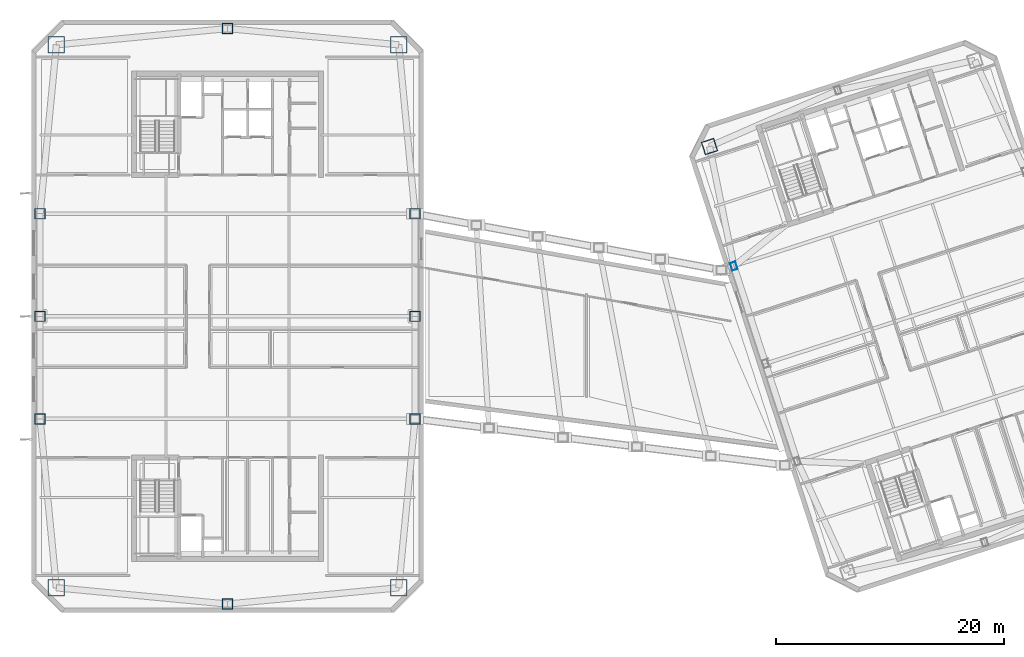
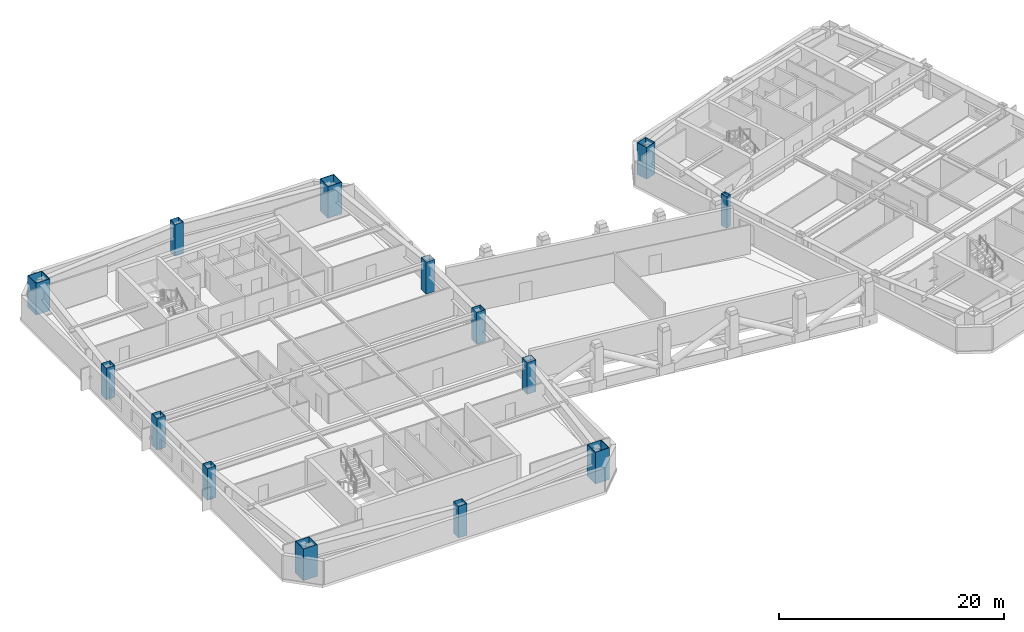
# One storey, part 1 of 19: 14 columns.
"""IFC4 building model written with IfcOpenShell, lengths in metres."""

from ifc_helpers import new_model, si_unit, direction, frame, origin, origin_2d, place, context, subcontext, project, spatial, hollow_rectangle, extrude, material, material_profile, profile_set, type_object, element, save


model = new_model("IFC4")

# Units and contexts
model_context = context("Model", 3, precision=1e-05, world=origin(), true_north=direction((0.0, 1.0)))
body_context = subcontext(model_context, "Body", "Model", "MODEL_VIEW")
ifc_project = project(units=[si_unit("LENGTHUNIT", "METRE"), si_unit("AREAUNIT", "SQUARE_METRE"), si_unit("VOLUMEUNIT", "CUBIC_METRE"), si_unit("PLANEANGLEUNIT", "RADIAN"), si_unit("MASSUNIT", "GRAM", prefix="KILO")], contexts=[model_context])

# Site, building, storey
site_placement = place(None, origin())
site = spatial("IfcSite", under=ifc_project, at=site_placement, CompositionType="ELEMENT")
building_placement = place(site_placement, origin())
building = spatial("IfcBuilding", under=site, at=building_placement, Name="Qiaolan Cultural Towers", CompositionType="ELEMENT")
storey_placement = place(building_placement, frame((0.0, 0.0, 216.199951171875)))
storey = spatial("IfcBuildingStorey", under=building, at=storey_placement, Name="L58", CompositionType="ELEMENT", Elevation=216.199951171875)

# Columns
ifc_material_1 = material(Name="Steel Q390GJB", Category="steel")
ifc_material_profile_1 = material_profile(ifc_material_1, hollow_rectangle(XDim=1.14990234375, YDim=1.14990234375, WallThickness=0.0400390625, at=origin_2d()), Name="BOX1150x1150x40")
ifc_profile_set_1 = profile_set([ifc_material_profile_1], Name="Steel Q390GJB")
column_type_1 = type_object("IfcColumnType", Name="COL-BOX1150x1150x40", PredefinedType="COLUMN", material=ifc_profile_set_1)
column_1_placement = place(storey_placement, frame((72.2900390625, 48.896484375, 0.0), z_axis=(0.0, 0.0, 1.0), x_axis=(0.951056516295, 0.309016994375, 0.0)))
element("IfcColumn", 1, at=column_1_placement, inside=storey, type_object=column_type_1, Name="L58 T2 Perimeter Column MC-NW", PredefinedType="COLUMN", context=body_context, shape_type="SweptSolid", body=[
    extrude(hollow_rectangle(XDim=1.14990234375, YDim=1.14990234375, WallThickness=0.0400390625, at=origin_2d()), origin(), (0.0, 0.0, 1.0), 3.450927734375),
])
ifc_material_2 = material(Name="Steel Q420GJB", Category="steel")
ifc_material_profile_2 = material_profile(ifc_material_2, hollow_rectangle(XDim=1.449951171875, YDim=1.449951171875, WallThickness=0.050048828125, at=origin_2d()), Name="BOX1450x1450x50")
ifc_profile_set_2 = profile_set([ifc_material_profile_2], Name="Steel Q420GJB")
column_type_2 = type_object("IfcColumnType", Name="COL-BOX1450x1450x50", PredefinedType="COLUMN", material=ifc_profile_set_2)
for number, where, z_axis, x_axis, name in (
    (2, (14.97998046875, 10.179931640625, 0.0), (0.0, 0.0, 1.0), (1.0, 0.0, 0.0), "L58 T1 Perimeter Column MC-SW"),
    (3, (45.02001953125, 10.179931640625, 0.0), (0.0, 0.0, 1.0), (1.0, 0.0, 0.0), "L58 T1 Perimeter Column MC-SE"),
    (4, (45.02001953125, 57.820068359375, 0.0), (0.0, 0.0, 1.0), (1.0, 0.0, 0.0), "L58 T1 Perimeter Column MC-NE"),
    (5, (14.97998046875, 57.820068359375, 0.0), (0.0, 0.0, 1.0), (1.0, 0.0, 0.0), "L58 T1 Perimeter Column MC-NW"),
):
    element("IfcColumn", number, at=place(storey_placement, frame(where, z_axis=z_axis, x_axis=x_axis)), inside=storey, type_object=column_type_2, Name=name, PredefinedType="COLUMN", context=body_context, shape_type="SweptSolid", body=[
        extrude(hollow_rectangle(XDim=1.449951171875, YDim=1.449951171875, WallThickness=0.050048828125, at=origin_2d()), origin(), (0.0, 0.0, 1.0), 3.450927734375),
    ])
ifc_material_3 = material(Name="Steel Q355B", Category="steel")
ifc_material_profile_3 = material_profile(ifc_material_3, hollow_rectangle(XDim=0.5, YDim=0.699951171875, WallThickness=0.02490234375, at=origin_2d()), Name="BOX700x500x25")
ifc_profile_set_3 = profile_set([ifc_material_profile_3], Name="Steel Q355B")
column_type_3 = type_object("IfcColumnType", Name="COL-BOX700x500x25", PredefinedType="COLUMN", material=ifc_profile_set_3)
column_2_placement = place(storey_placement, frame((74.42724609375, 38.4033203125, 0.0), z_axis=(0.0, 0.0, 1.0), x_axis=(0.951056516295, 0.309016994375, 0.0)))
element("IfcColumn", 6, at=column_2_placement, inside=storey, type_object=column_type_3, Name="L58 T2 Perimeter Column PC-W3", PredefinedType="COLUMN", context=body_context, shape_type="SweptSolid", body=[
    extrude(hollow_rectangle(XDim=0.5, YDim=0.699951171875, WallThickness=0.02490234375, at=origin_2d()), origin(), (0.0, 0.0, 1.0), 3.450927734375),
])
ifc_material_4 = material(Name="Steel Q355B", Category="steel")
ifc_material_profile_4 = material_profile(ifc_material_4, hollow_rectangle(XDim=0.89990234375, YDim=0.89990234375, WallThickness=0.031982421875, at=origin_2d()), Name="BOX900x900x32")
ifc_profile_set_4 = profile_set([ifc_material_profile_4], Name="Steel Q355B")
column_type_4 = type_object("IfcColumnType", Name="COL-BOX900x900x32", PredefinedType="COLUMN", material=ifc_profile_set_4)
for number, where, z_axis, x_axis, name in (
    (7, (13.550048828125, 25.0, 0.0), (0.0, 0.0, 1.0), (1.0, 0.0, 0.0), "L58 T1 Perimeter Column PC-W1"),
    (8, (13.550048828125, 34.0, 0.0), (0.0, 0.0, 1.0), (1.0, 0.0, 0.0), "L58 T1 Perimeter Column PC-W2"),
    (9, (13.550048828125, 43.0, 0.0), (0.0, 0.0, 1.0), (1.0, 0.0, 0.0), "L58 T1 Perimeter Column PC-W3"),
    (10, (46.449951171875, 25.0, 0.0), (0.0, 0.0, 1.0), (1.0, 0.0, 0.0), "L58 T1 Perimeter Column PC-E1"),
    (11, (46.449951171875, 34.0, 0.0), (0.0, 0.0, 1.0), (1.0, 0.0, 0.0), "L58 T1 Perimeter Column PC-E2"),
    (12, (46.449951171875, 43.0, 0.0), (0.0, 0.0, 1.0), (1.0, 0.0, 0.0), "L58 T1 Perimeter Column PC-E3"),
    (13, (30.0, 8.75, 0.0), (0.0, 0.0, 1.0), (1.0, 0.0, 0.0), "L58 T1 Perimeter Column PC-S0"),
    (14, (30.0, 59.25, 0.0), (0.0, 0.0, 1.0), (1.0, 0.0, 0.0), "L58 T1 Perimeter Column PC-N0"),
):
    element("IfcColumn", number, at=place(storey_placement, frame(where, z_axis=z_axis, x_axis=x_axis)), inside=storey, type_object=column_type_4, Name=name, PredefinedType="COLUMN", context=body_context, shape_type="SweptSolid", body=[
        extrude(hollow_rectangle(XDim=0.89990234375, YDim=0.89990234375, WallThickness=0.031982421875, at=origin_2d()), origin(), (0.0, 0.0, 1.0), 3.450927734375),
    ])

save(model, "model.ifc")
